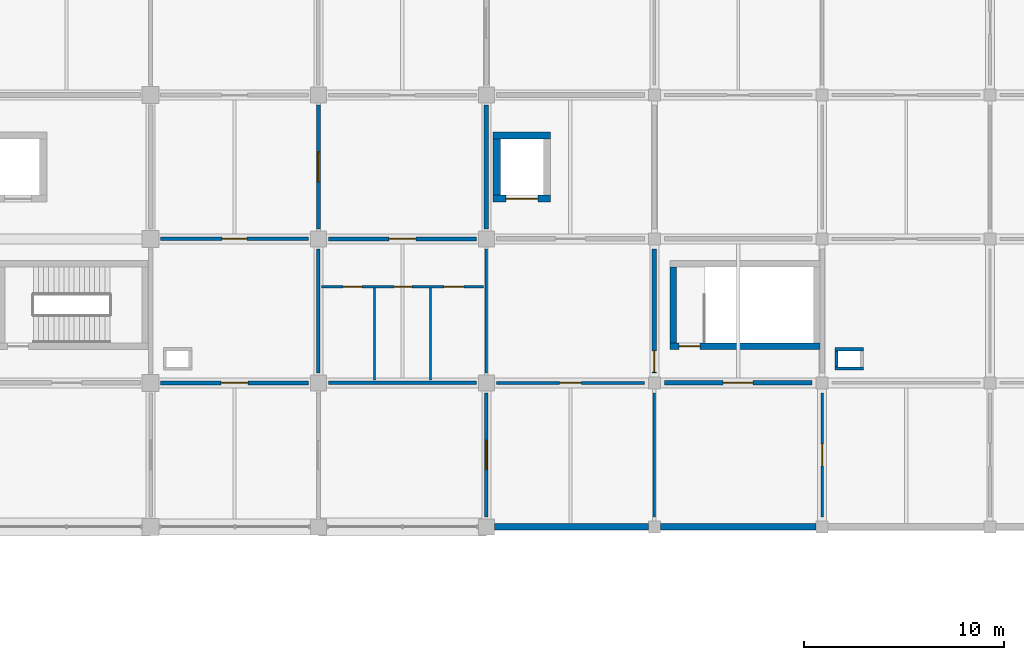
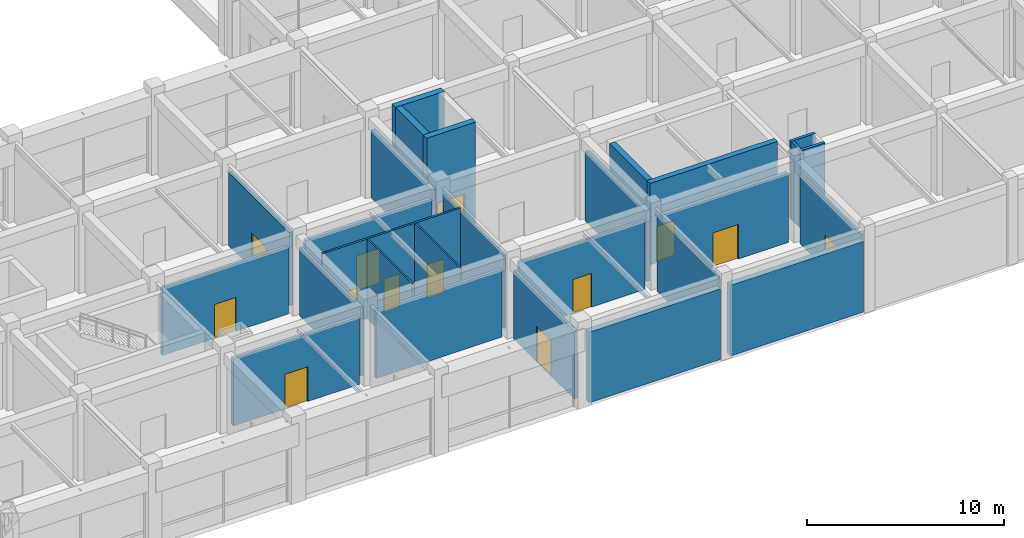
# One storey, part 28 of 38: 27 walls, 14 doors, 14 openings.
"""IFC4 building model written with IfcOpenShell, lengths in metres."""

from ifc_helpers import new_model, si_unit, derived_unit, direction, frame, frame_2d, origin, place, context, subcontext, project, spatial, rectangle, extrude, material, layer, layer_set, type_object, element, fill, save


model = new_model("IFC4")

# Units and contexts
model_context = context("Model", 3, precision=1e-05, world=origin(), true_north=direction((0.0, 1.0)))
body_context = subcontext(model_context, "Body", "Model", "MODEL_VIEW")
ifc_project = project(units=[si_unit("LENGTHUNIT", "METRE"), si_unit("AREAUNIT", "SQUARE_METRE"), si_unit("VOLUMEUNIT", "CUBIC_METRE"), si_unit("PLANEANGLEUNIT", "RADIAN"), si_unit("MASSUNIT", "GRAM", prefix="KILO"), derived_unit("THERMALTRANSMITTANCEUNIT", [(si_unit("MASSUNIT", "GRAM", prefix="KILO"), 1), (si_unit("TIMEUNIT", "SECOND"), -3), (si_unit("THERMODYNAMICTEMPERATUREUNIT", "KELVIN"), -1)])], contexts=[model_context])

# Site, building, storey
site_placement = place(None, origin())
site = spatial("IfcSite", under=ifc_project, at=site_placement, CompositionType="ELEMENT")
building_placement = place(site_placement, origin())
building = spatial("IfcBuilding", under=site, at=building_placement, Name="Veldstrom Oceanarium and Marine Research Institute", CompositionType="ELEMENT")
storey_placement = place(building_placement, frame((0.0, 0.0, 16.800048828125)))
storey = spatial("IfcBuildingStorey", under=building, at=storey_placement, Name="L03", CompositionType="ELEMENT", Elevation=16.800048828125)

# Walls
ifc_material_1 = material(Name="Masonry Cavity Wall", Category="masonry")
ifc_layer_1 = layer(ifc_material_1, 0.340087890625)
ifc_layer_set_1 = layer_set([ifc_layer_1], Name="ARC-WAL-EW4")
wall_type_1 = type_object("IfcWallType", Name="ARC-WAL-EW4", PredefinedType="SOLIDWALL", material=ifc_layer_set_1)
wall_1_placement = place(storey_placement, frame((118.0, 43.199951171875, 0.0), z_axis=(0.0, 0.0, 1.0), x_axis=(1.0, 0.0, 0.0)))
element("IfcWall", 1, at=wall_1_placement, inside=storey, type_object=wall_type_1, Name="Exterior Facade Wall EW4 L03-160", PredefinedType="SOLIDWALL", context=body_context, shape_type="SweptSolid", body=[
    extrude(rectangle(XDim=7.699951171875, YDim=0.340087890625, at=frame_2d((3.85009765625, 0.0))), origin(), (0.0, 0.0, 1.0), 4.39501953125),
])
wall_2_placement = place(storey_placement, frame((126.300048828125, 43.199951171875, 0.0), z_axis=(0.0, 0.0, 1.0), x_axis=(1.0, 0.0, 0.0)))
element("IfcWall", 2, at=wall_2_placement, inside=storey, type_object=wall_type_1, Name="Exterior Facade Wall EW4 L03-162", PredefinedType="SOLIDWALL", context=body_context, shape_type="SweptSolid", body=[
    extrude(rectangle(XDim=7.800048828125, YDim=0.340087890625, at=frame_2d((3.89990234375, 0.0))), origin(), (0.0, 0.0, 1.0), 4.39501953125),
])
ifc_material_2 = material(Name="Masonry Fire Compartment Wall", Category="masonry")
ifc_layer_2 = layer(ifc_material_2, 0.22998046875)
ifc_layer_set_2 = layer_set([ifc_layer_2], Name="ARC-WAL-PT1")
wall_type_2 = type_object("IfcWallType", Name="ARC-WAL-PT1", PredefinedType="PARTITIONING", material=ifc_layer_set_2)
wall_3_placement = place(storey_placement, frame((117.60009765625, 58.10009765625, 0.0), z_axis=(0.0, 0.0, 1.0), x_axis=(0.0, 1.0, 0.0)))
element("IfcWall", 3, at=wall_3_placement, inside=storey, type_object=wall_type_2, Name="Interior Partition PT1 L03-1363", PredefinedType="PARTITIONING", context=body_context, shape_type="SweptSolid", body=[
    extrude(rectangle(XDim=6.199951171875, YDim=0.22998046875, at=frame_2d((3.10009765625, 0.0))), origin(), (0.0, 0.0, 1.0), 4.244873046875),
])

# Wall, opening, door
wall_4_placement = place(storey_placement, frame((126.0, 50.89990234375, 0.0), z_axis=(0.0, 0.0, 1.0), x_axis=(0.0, 1.0, 0.0)))
wall_4 = element("IfcWall", 4, at=wall_4_placement, inside=storey, type_object=wall_type_2, Name="Interior Partition PT1 L03-1368", PredefinedType="PARTITIONING", context=body_context, shape_type="SweptSolid", body=[
    extrude(rectangle(XDim=6.2001953125, YDim=0.22998046875, at=frame_2d((3.10009765625, 0.0))), origin(), (0.0, 0.0, 1.0), 4.344970703125),
])
opening_1_placement = place(wall_4_placement, frame((0.050048828125, 0.0, 0.0)))
opening_1 = element("IfcOpeningElement", 5, at=opening_1_placement, cuts=wall_4, Name="Opening D-L03-807", PredefinedType="OPENING", context=body_context, shape_type="SweptSolid", body=[
    extrude(rectangle(XDim=1.050048828125, YDim=2.14990234375, at=frame_2d((0.52490234375, 1.074951171875))), frame((0.0, 0.125, 0.0), z_axis=(0.0, -1.0, 0.0), x_axis=(1.0, 0.0, 0.0)), (0.0, 0.0, 1.0), 0.25),
])
ifc_material_3 = material(Name="Painted Steel Fire Door", Category="steel")
door_type_1 = type_object("IfcDoorType", Name="ARC-DOR-SD1", OperationType="SINGLE_SWING_LEFT", PredefinedType="DOOR", material=ifc_material_3)
door_1_placement = place(opening_1_placement, origin())
door_1 = element("IfcDoor", 6, at=door_1_placement, inside=storey, type_object=door_type_1, Name="Interior Door D-L03-807", OperationType="SINGLE_SWING_LEFT", OverallHeight=2.14990234375, OverallWidth=1.050048828125, PredefinedType="DOOR", context=body_context, shape_type="SweptSolid", body=[
    extrude(rectangle(XDim=1.050048828125, YDim=2.14990234375, at=frame_2d((0.52490234375, 1.074951171875))), frame((0.0, 0.02490234375, 0.0), z_axis=(0.0, -1.0, 0.0), x_axis=(1.0, 0.0, 0.0)), (0.0, 0.0, 1.0), 0.050048828125),
])
fill(opening_1, door_1)

wall_5_placement = place(storey_placement, frame((126.5, 50.39990234375, 0.0), z_axis=(0.0, 0.0, 1.0), x_axis=(1.0, 0.0, 0.0)))
wall_5 = element("IfcWall", 7, at=wall_5_placement, inside=storey, type_object=wall_type_2, Name="Interior Partition PT1 L03-1376", PredefinedType="PARTITIONING", context=body_context, shape_type="SweptSolid", body=[
    extrude(rectangle(XDim=7.39990234375, YDim=0.22998046875, at=frame_2d((3.699951171875, 0.0))), origin(), (0.0, 0.0, 1.0), 4.294921875),
])
opening_2_placement = place(wall_5_placement, frame((2.949951171875, 0.0, 0.0)))
opening_2 = element("IfcOpeningElement", 8, at=opening_2_placement, cuts=wall_5, Name="Opening D-L03-811", PredefinedType="OPENING", context=body_context, shape_type="SweptSolid", body=[
    extrude(rectangle(XDim=1.5, YDim=2.14990234375, at=frame_2d((0.75, 1.074951171875))), frame((0.0, 0.125, 0.0), z_axis=(0.0, -1.0, 0.0), x_axis=(1.0, 0.0, 0.0)), (0.0, 0.0, 1.0), 0.25),
])
ifc_material_4 = material(Name="Painted Steel Lobby Fire Door", Category="steel")
door_type_2 = type_object("IfcDoorType", Name="ARC-DOR-SD2", OperationType="DOUBLE_DOOR_SINGLE_SWING", PredefinedType="DOOR", material=ifc_material_4)
door_2_placement = place(opening_2_placement, frame((1.5, 0.0, 0.0), z_axis=(0.0, 0.0, 1.0), x_axis=(-1.0, 0.0, 0.0)))
door_2 = element("IfcDoor", 9, at=door_2_placement, inside=storey, type_object=door_type_2, Name="Interior Door D-L03-811", OperationType="DOUBLE_DOOR_SINGLE_SWING", OverallHeight=2.14990234375, OverallWidth=1.5, PredefinedType="DOOR", context=body_context, shape_type="SweptSolid", body=[
    extrude(rectangle(XDim=1.5, YDim=2.14990234375, at=frame_2d((0.75, 1.074951171875))), frame((0.0, 0.02490234375, 0.0), z_axis=(0.0, -1.0, 0.0), x_axis=(1.0, 0.0, 0.0)), (0.0, 0.0, 1.0), 0.050048828125),
])
fill(opening_2, door_2)

ifc_material_5 = material(Name="Masonry Acoustic Lab Partition", Category="masonry")
ifc_layer_3 = layer(ifc_material_5, 0.205078125)
ifc_layer_set_3 = layer_set([ifc_layer_3], Name="ARC-WAL-PT2")
wall_type_3 = type_object("IfcWallType", Name="ARC-WAL-PT2", PredefinedType="PARTITIONING", material=ifc_layer_set_3)
wall_6_placement = place(storey_placement, frame((101.300048828125, 50.39990234375, 0.0), z_axis=(0.0, 0.0, 1.0), x_axis=(1.0, 0.0, 0.0)))
wall_6 = element("IfcWall", 10, at=wall_6_placement, inside=storey, type_object=wall_type_3, Name="Interior Partition PT2 L03-1353", PredefinedType="PARTITIONING", context=body_context, shape_type="SweptSolid", body=[
    extrude(rectangle(XDim=7.39990234375, YDim=0.205078125, at=frame_2d((3.699951171875, 0.0))), origin(), (0.0, 0.0, 1.0), 4.195068359375),
])
opening_3_placement = place(wall_6_placement, frame((3.02490234375, 0.0, 0.0)))
opening_3 = element("IfcOpeningElement", 11, at=opening_3_placement, cuts=wall_6, Name="Opening D-L03-798", PredefinedType="OPENING", context=body_context, shape_type="SweptSolid", body=[
    extrude(rectangle(XDim=1.35009765625, YDim=2.14990234375, at=frame_2d((0.675048828125, 1.074951171875))), frame((0.0, 0.112548828125, 0.0), z_axis=(0.0, -1.0, 0.0), x_axis=(1.0, 0.0, 0.0)), (0.0, 0.0, 1.0), 0.22509765625),
])
ifc_material_6 = material(Name="Cleanroom Airlock Door", Category="steel")
door_type_3 = type_object("IfcDoorType", Name="ARC-DOR-ID15", OperationType="SINGLE_SWING_LEFT", PredefinedType="DOOR", material=ifc_material_6)
door_3_placement = place(opening_3_placement, frame((1.35009765625, 0.0, 0.0), z_axis=(0.0, 0.0, 1.0), x_axis=(-1.0, 0.0, 0.0)))
door_3 = element("IfcDoor", 12, at=door_3_placement, inside=storey, type_object=door_type_3, Name="Interior Door D-L03-798", OperationType="SINGLE_SWING_LEFT", OverallHeight=2.14990234375, OverallWidth=1.35009765625, PredefinedType="DOOR", context=body_context, shape_type="SweptSolid", body=[
    extrude(rectangle(XDim=1.35009765625, YDim=2.14990234375, at=frame_2d((0.675048828125, 1.074951171875))), frame((0.0, 0.02490234375, 0.0), z_axis=(0.0, -1.0, 0.0), x_axis=(1.0, 0.0, 0.0)), (0.0, 0.0, 1.0), 0.050048828125),
])
fill(opening_3, door_3)

wall_7_placement = place(storey_placement, frame((109.199951171875, 58.10009765625, 0.0), z_axis=(0.0, 0.0, 1.0), x_axis=(0.0, 1.0, 0.0)))
wall_7 = element("IfcWall", 13, at=wall_7_placement, inside=storey, type_object=wall_type_3, Name="Interior Partition PT2 L03-1356", PredefinedType="PARTITIONING", context=body_context, shape_type="SweptSolid", body=[
    extrude(rectangle(XDim=6.199951171875, YDim=0.205078125, at=frame_2d((3.10009765625, 0.0))), origin(), (0.0, 0.0, 1.0), 4.544921875),
])
opening_4_placement = place(wall_7_placement, frame((2.35009765625, 0.0, 0.0)))
opening_4 = element("IfcOpeningElement", 14, at=opening_4_placement, cuts=wall_7, Name="Opening D-L03-800", PredefinedType="OPENING", context=body_context, shape_type="SweptSolid", body=[
    extrude(rectangle(XDim=1.5, YDim=2.199951171875, at=frame_2d((0.75, 1.10009765625))), frame((0.0, 0.112548828125, 0.0), z_axis=(0.0, -1.0, 0.0), x_axis=(1.0, 0.0, 0.0)), (0.0, 0.0, 1.0), 0.22509765625),
])
ifc_material_7 = material(Name="Laboratory Double Leaf Door", Category="timber")
door_type_4 = type_object("IfcDoorType", Name="ARC-DOR-ID03", OperationType="DOUBLE_DOOR_SINGLE_SWING", PredefinedType="DOOR", material=ifc_material_7)
door_4_placement = place(opening_4_placement, origin())
door_4 = element("IfcDoor", 15, at=door_4_placement, inside=storey, type_object=door_type_4, Name="Interior Door D-L03-800", OperationType="DOUBLE_DOOR_SINGLE_SWING", OverallHeight=2.199951171875, OverallWidth=1.5, PredefinedType="DOOR", context=body_context, shape_type="SweptSolid", body=[
    extrude(rectangle(XDim=1.5, YDim=2.199951171875, at=frame_2d((0.75, 1.10009765625))), frame((0.0, 0.02490234375, 0.0), z_axis=(0.0, -1.0, 0.0), x_axis=(1.0, 0.0, 0.0)), (0.0, 0.0, 1.0), 0.050048828125),
])
fill(opening_4, door_4)

wall_8_placement = place(storey_placement, frame((109.699951171875, 57.60009765625, 0.0), z_axis=(0.0, 0.0, 1.0), x_axis=(1.0, 0.0, 0.0)))
wall_8 = element("IfcWall", 16, at=wall_8_placement, inside=storey, type_object=wall_type_3, Name="Interior Partition PT2 L03-1362", PredefinedType="PARTITIONING", context=body_context, shape_type="SweptSolid", body=[
    extrude(rectangle(XDim=7.400146484375, YDim=0.205078125, at=frame_2d((3.7001953125, 0.0))), origin(), (0.0, 0.0, 1.0), 4.195068359375),
])
opening_5_placement = place(wall_8_placement, frame((3.02490234375, 0.0, 0.0)))
opening_5 = element("IfcOpeningElement", 17, at=opening_5_placement, cuts=wall_8, Name="Opening D-L03-803", PredefinedType="OPENING", context=body_context, shape_type="SweptSolid", body=[
    extrude(rectangle(XDim=1.35009765625, YDim=2.14990234375, at=frame_2d((0.675048828125, 1.074951171875))), frame((0.0, 0.112548828125, 0.0), z_axis=(0.0, -1.0, 0.0), x_axis=(1.0, 0.0, 0.0)), (0.0, 0.0, 1.0), 0.22509765625),
])
door_5_placement = place(opening_5_placement, frame((1.35009765625, 0.0, 0.0), z_axis=(0.0, 0.0, 1.0), x_axis=(-1.0, 0.0, 0.0)))
door_5 = element("IfcDoor", 18, at=door_5_placement, inside=storey, type_object=door_type_3, Name="Interior Door D-L03-803", OperationType="SINGLE_SWING_LEFT", OverallHeight=2.14990234375, OverallWidth=1.35009765625, PredefinedType="DOOR", context=body_context, shape_type="SweptSolid", body=[
    extrude(rectangle(XDim=1.35009765625, YDim=2.14990234375, at=frame_2d((0.675048828125, 1.074951171875))), frame((0.0, 0.02490234375, 0.0), z_axis=(0.0, -1.0, 0.0), x_axis=(1.0, 0.0, 0.0)), (0.0, 0.0, 1.0), 0.050048828125),
])
fill(opening_5, door_5)

# Wall
ifc_material_8 = material(Name="Drywall Acoustic Partition", Category="gypsum")
ifc_layer_4 = layer(ifc_material_8, 0.175048828125)
ifc_layer_set_4 = layer_set([ifc_layer_4], Name="ARC-WAL-PT3")
wall_type_4 = type_object("IfcWallType", Name="ARC-WAL-PT3", PredefinedType="PARTITIONING", material=ifc_layer_set_4)
wall_9_placement = place(storey_placement, frame((109.199951171875, 50.89990234375, 0.0), z_axis=(0.0, 0.0, 1.0), x_axis=(0.0, 1.0, 0.0)))
element("IfcWall", 19, at=wall_9_placement, inside=storey, type_object=wall_type_4, Name="Interior Partition PT3 L03-1354", PredefinedType="PARTITIONING", context=body_context, shape_type="SweptSolid", body=[
    extrude(rectangle(XDim=6.2001953125, YDim=0.175048828125, at=frame_2d((3.10009765625, 0.0))), origin(), (0.0, 0.0, 1.0), 4.244873046875),
])

# Wall, opening, door
wall_10_placement = place(storey_placement, frame((101.300048828125, 57.60009765625, 0.0), z_axis=(0.0, 0.0, 1.0), x_axis=(1.0, 0.0, 0.0)))
wall_10 = element("IfcWall", 20, at=wall_10_placement, inside=storey, type_object=wall_type_4, Name="Interior Partition PT3 L03-1355", PredefinedType="PARTITIONING", context=body_context, shape_type="SweptSolid", body=[
    extrude(rectangle(XDim=7.39990234375, YDim=0.175048828125, at=frame_2d((3.699951171875, 0.0))), origin(), (0.0, 0.0, 1.0), 4.195068359375),
])
opening_6_placement = place(wall_10_placement, frame((3.074951171875, 0.0, 0.0)))
opening_6 = element("IfcOpeningElement", 21, at=opening_6_placement, cuts=wall_10, Name="Opening D-L03-799", PredefinedType="OPENING", context=body_context, shape_type="SweptSolid", body=[
    extrude(rectangle(XDim=1.25, YDim=2.10009765625, at=frame_2d((0.625, 1.050048828125))), frame((0.0, 0.097412109375, 0.0), z_axis=(0.0, -1.0, 0.0), x_axis=(1.0, 0.0, 0.0)), (0.0, 0.0, 1.0), 0.195068359375),
])
ifc_material_9 = material(Name="Specimen Prep Door", Category="timber")
door_type_5 = type_object("IfcDoorType", Name="ARC-DOR-ID16", OperationType="SINGLE_SWING_RIGHT", PredefinedType="DOOR", material=ifc_material_9)
door_6_placement = place(opening_6_placement, origin())
door_6 = element("IfcDoor", 22, at=door_6_placement, inside=storey, type_object=door_type_5, Name="Interior Door D-L03-799", OperationType="SINGLE_SWING_LEFT", OverallHeight=2.10009765625, OverallWidth=1.25, PredefinedType="DOOR", context=body_context, shape_type="SweptSolid", body=[
    extrude(rectangle(XDim=1.25, YDim=2.10009765625, at=frame_2d((0.625, 1.050048828125))), frame((0.0, 0.02490234375, 0.0), z_axis=(0.0, -1.0, 0.0), x_axis=(1.0, 0.0, 0.0)), (0.0, 0.0, 1.0), 0.050048828125),
])
fill(opening_6, door_6)

wall_11_placement = place(storey_placement, frame((117.60009765625, 43.699951171875, 0.0), z_axis=(0.0, 0.0, 1.0), x_axis=(0.0, 1.0, 0.0)))
wall_11 = element("IfcWall", 23, at=wall_11_placement, inside=storey, type_object=wall_type_4, Name="Interior Partition PT3 L03-1359", PredefinedType="PARTITIONING", context=body_context, shape_type="SweptSolid", body=[
    extrude(rectangle(XDim=6.199951171875, YDim=0.175048828125, at=frame_2d((3.10009765625, 0.0))), origin(), (0.0, 0.0, 1.0), 4.244873046875),
])
opening_7_placement = place(wall_11_placement, frame((2.375, 0.0, 0.0)))
opening_7 = element("IfcOpeningElement", 24, at=opening_7_placement, cuts=wall_11, Name="Opening D-L03-802", PredefinedType="OPENING", context=body_context, shape_type="SweptSolid", body=[
    extrude(rectangle(XDim=1.449951171875, YDim=2.199951171875, at=frame_2d((0.72509765625, 1.10009765625))), frame((0.0, 0.097412109375, 0.0), z_axis=(0.0, -1.0, 0.0), x_axis=(1.0, 0.0, 0.0)), (0.0, 0.0, 1.0), 0.195068359375),
])
ifc_material_10 = material(Name="Curatorial Archive Door", Category="timber")
door_type_6 = type_object("IfcDoorType", Name="ARC-DOR-ID14", OperationType="DOUBLE_DOOR_SINGLE_SWING", PredefinedType="DOOR", material=ifc_material_10)
door_7_placement = place(opening_7_placement, frame((1.449951171875, 0.0, 0.0), z_axis=(0.0, 0.0, 1.0), x_axis=(-1.0, 0.0, 0.0)))
door_7 = element("IfcDoor", 25, at=door_7_placement, inside=storey, type_object=door_type_6, Name="Interior Door D-L03-802", OperationType="DOUBLE_DOOR_SINGLE_SWING", OverallHeight=2.199951171875, OverallWidth=1.449951171875, PredefinedType="DOOR", context=body_context, shape_type="SweptSolid", body=[
    extrude(rectangle(XDim=1.449951171875, YDim=2.199951171875, at=frame_2d((0.72509765625, 1.10009765625))), frame((0.0, 0.02490234375, 0.0), z_axis=(0.0, -1.0, 0.0), x_axis=(1.0, 0.0, 0.0)), (0.0, 0.0, 1.0), 0.050048828125),
])
fill(opening_7, door_7)

# Wall
wall_12_placement = place(storey_placement, frame((109.699951171875, 50.39990234375, 0.0), z_axis=(0.0, 0.0, 1.0), x_axis=(1.0, 0.0, 0.0)))
element("IfcWall", 26, at=wall_12_placement, inside=storey, type_object=wall_type_4, Name="Interior Partition PT3 L03-1360", PredefinedType="PARTITIONING", context=body_context, shape_type="SweptSolid", body=[
    extrude(rectangle(XDim=7.400146484375, YDim=0.175048828125, at=frame_2d((3.7001953125, 0.0))), origin(), (0.0, 0.0, 1.0), 4.195068359375),
])

# Wall, opening, door
ifc_material_11 = material(Name="Drywall Corridor Partition", Category="gypsum")
ifc_layer_5 = layer(ifc_material_11, 0.155029296875)
ifc_layer_set_5 = layer_set([ifc_layer_5], Name="ARC-WAL-PT4")
wall_type_5 = type_object("IfcWallType", Name="ARC-WAL-PT4", PredefinedType="PARTITIONING", material=ifc_layer_set_5)
wall_13_placement = place(storey_placement, frame((118.10009765625, 50.39990234375, 0.0), z_axis=(0.0, 0.0, 1.0), x_axis=(1.0, 0.0, 0.0)))
wall_13 = element("IfcWall", 27, at=wall_13_placement, inside=storey, type_object=wall_type_5, Name="Interior Partition PT4 L03-1367", PredefinedType="PARTITIONING", context=body_context, shape_type="SweptSolid", body=[
    extrude(rectangle(XDim=7.39990234375, YDim=0.155029296875, at=frame_2d((3.699951171875, 0.0))), origin(), (0.0, 0.0, 1.0), 4.294921875),
])
opening_8_placement = place(wall_13_placement, frame((3.14990234375, 0.0, 0.0)))
opening_8 = element("IfcOpeningElement", 28, at=opening_8_placement, cuts=wall_13, Name="Opening D-L03-806", PredefinedType="OPENING", context=body_context, shape_type="SweptSolid", body=[
    extrude(rectangle(XDim=1.10009765625, YDim=2.10009765625, at=frame_2d((0.550048828125, 1.050048828125))), frame((0.0, 0.08740234375, 0.0), z_axis=(0.0, -1.0, 0.0), x_axis=(1.0, 0.0, 0.0)), (0.0, 0.0, 1.0), 0.175048828125),
])
ifc_material_12 = material(Name="Research Office Door", Category="timber")
door_type_7 = type_object("IfcDoorType", Name="ARC-DOR-ID07", OperationType="SINGLE_SWING_LEFT", PredefinedType="DOOR", material=ifc_material_12)
door_8_placement = place(opening_8_placement, frame((1.10009765625, 0.0, 0.0), z_axis=(0.0, 0.0, 1.0), x_axis=(-1.0, 0.0, 0.0)))
door_8 = element("IfcDoor", 29, at=door_8_placement, inside=storey, type_object=door_type_7, Name="Interior Door D-L03-806", OperationType="SINGLE_SWING_LEFT", OverallHeight=2.10009765625, OverallWidth=1.10009765625, PredefinedType="DOOR", context=body_context, shape_type="SweptSolid", body=[
    extrude(rectangle(XDim=1.10009765625, YDim=2.10009765625, at=frame_2d((0.550048828125, 1.050048828125))), frame((0.0, 0.02490234375, 0.0), z_axis=(0.0, -1.0, 0.0), x_axis=(1.0, 0.0, 0.0)), (0.0, 0.0, 1.0), 0.050048828125),
])
fill(opening_8, door_8)

ifc_material_13 = material(Name="Moisture-Resistant Wet-Area Partition", Category="masonry")
ifc_layer_6 = layer(ifc_material_13, 0.139892578125)
ifc_layer_set_6 = layer_set([ifc_layer_6], Name="ARC-WAL-PT5")
wall_type_6 = type_object("IfcWallType", Name="ARC-WAL-PT5", PredefinedType="PARTITIONING", material=ifc_layer_set_6)
wall_14_placement = place(storey_placement, frame((134.39990234375, 43.699951171875, 0.0), z_axis=(0.0, 0.0, 1.0), x_axis=(0.0, 1.0, 0.0)))
wall_14 = element("IfcWall", 30, at=wall_14_placement, inside=storey, type_object=wall_type_6, Name="Interior Partition PT5 L03-1375", PredefinedType="PARTITIONING", context=body_context, shape_type="SweptSolid", body=[
    extrude(rectangle(XDim=6.199951171875, YDim=0.139892578125, at=frame_2d((3.10009765625, 0.0))), origin(), (0.0, 0.0, 1.0), 4.344970703125),
])
opening_9_placement = place(wall_14_placement, frame((2.550048828125, 0.0, 0.0)))
opening_9 = element("IfcOpeningElement", 31, at=opening_9_placement, cuts=wall_14, Name="Opening D-L03-810", PredefinedType="OPENING", context=body_context, shape_type="SweptSolid", body=[
    extrude(rectangle(XDim=1.10009765625, YDim=2.10009765625, at=frame_2d((0.550048828125, 1.050048828125))), frame((0.0, 0.079833984375, 0.0), z_axis=(0.0, -1.0, 0.0), x_axis=(1.0, 0.0, 0.0)), (0.0, 0.0, 1.0), 0.159912109375),
])
door_9_placement = place(opening_9_placement, frame((1.10009765625, 0.0, 0.0), z_axis=(0.0, 0.0, 1.0), x_axis=(-1.0, 0.0, 0.0)))
door_9 = element("IfcDoor", 32, at=door_9_placement, inside=storey, type_object=door_type_7, Name="Interior Door D-L03-810", OperationType="SINGLE_SWING_RIGHT", OverallHeight=2.10009765625, OverallWidth=1.10009765625, PredefinedType="DOOR", context=body_context, shape_type="SweptSolid", body=[
    extrude(rectangle(XDim=1.10009765625, YDim=2.10009765625, at=frame_2d((0.550048828125, 1.050048828125))), frame((0.0, 0.02490234375, 0.0), z_axis=(0.0, -1.0, 0.0), x_axis=(1.0, 0.0, 0.0)), (0.0, 0.0, 1.0), 0.050048828125),
])
fill(opening_9, door_9)

# Wall, openings, doors
ifc_material_14 = material(Name="Lightweight Studio Partition", Category="gypsum")
ifc_layer_7 = layer(ifc_material_14, 0.1201171875)
ifc_layer_set_7 = layer_set([ifc_layer_7], Name="ARC-WAL-PT6")
wall_type_7 = type_object("IfcWallType", Name="ARC-WAL-PT6", PredefinedType="PARTITIONING", material=ifc_layer_set_7)
wall_15_placement = place(storey_placement, frame((109.35009765625, 55.199951171875, 0.0), z_axis=(0.0, 0.0, 1.0), x_axis=(1.0, 0.0, 0.0)))
wall_15 = element("IfcWall", 33, at=wall_15_placement, inside=storey, type_object=wall_type_7, Name="Sanitary Vestibule Partition L03-13", PredefinedType="PARTITIONING", context=body_context, shape_type="SweptSolid", body=[
    extrude(rectangle(XDim=8.099853515625, YDim=0.1201171875, at=frame_2d((4.0498046875, 0.0))), origin(), (0.0, 0.0, 1.0), 4.949951171875),
])
opening_10_placement = place(wall_15_placement, frame((1.080078125, 0.0, 0.0)))
opening_10 = element("IfcOpeningElement", 34, at=opening_10_placement, cuts=wall_15, Name="Opening D-L03-WC729", PredefinedType="OPENING", context=body_context, shape_type="SweptSolid", body=[
    extrude(rectangle(XDim=0.949951171875, YDim=2.10009765625, at=frame_2d((0.47509765625, 1.050048828125))), frame((0.0, 0.070068359375, 0.0), z_axis=(0.0, -1.0, 0.0), x_axis=(1.0, 0.0, 0.0)), (0.0, 0.0, 1.0), 0.14013671875),
])
opening_11_placement = place(wall_15_placement, frame((3.6298828125, 0.0, 0.0)))
opening_11 = element("IfcOpeningElement", 35, at=opening_11_placement, cuts=wall_15, Name="Opening D-L03-WC730", PredefinedType="OPENING", context=body_context, shape_type="SweptSolid", body=[
    extrude(rectangle(XDim=0.89990234375, YDim=2.10009765625, at=frame_2d((0.449951171875, 1.050048828125))), frame((0.0, 0.070068359375, 0.0), z_axis=(0.0, -1.0, 0.0), x_axis=(1.0, 0.0, 0.0)), (0.0, 0.0, 1.0), 0.14013671875),
])
opening_12_placement = place(wall_15_placement, frame((6.1298828125, 0.0, 0.0)))
opening_12 = element("IfcOpeningElement", 36, at=opening_12_placement, cuts=wall_15, Name="Opening D-L03-WC731", PredefinedType="OPENING", context=body_context, shape_type="SweptSolid", body=[
    extrude(rectangle(XDim=1.0, YDim=2.10009765625, at=frame_2d((0.5, 1.050048828125))), frame((0.0, 0.070068359375, 0.0), z_axis=(0.0, -1.0, 0.0), x_axis=(1.0, 0.0, 0.0)), (0.0, 0.0, 1.0), 0.14013671875),
])
ifc_material_15 = material(Name="Accessible Sanitary Door", Category="timber")
door_type_8 = type_object("IfcDoorType", Name="ARC-DOR-ID08", OperationType="SINGLE_SWING_RIGHT", PredefinedType="DOOR", material=ifc_material_15)
door_10_placement = place(opening_12_placement, frame((1.0, 0.0, 0.0), z_axis=(0.0, 0.0, 1.0), x_axis=(-1.0, 0.0, 0.0)))
door_10 = element("IfcDoor", 37, at=door_10_placement, inside=storey, type_object=door_type_8, Name="Accessible WC Door D-L03-WC731", OperationType="SINGLE_SWING_RIGHT", OverallHeight=2.10009765625, OverallWidth=1.0, PredefinedType="DOOR", context=body_context, shape_type="SweptSolid", body=[
    extrude(rectangle(XDim=1.0, YDim=2.10009765625, at=frame_2d((0.5, 1.050048828125))), frame((0.0, 0.02490234375, 0.0), z_axis=(0.0, -1.0, 0.0), x_axis=(1.0, 0.0, 0.0)), (0.0, 0.0, 1.0), 0.050048828125),
])
fill(opening_12, door_10)
ifc_material_16 = material(Name="Staff Sanitary Door", Category="timber")
door_type_9 = type_object("IfcDoorType", Name="ARC-DOR-ID09", OperationType="SINGLE_SWING_LEFT", PredefinedType="DOOR", material=ifc_material_16)
door_11_placement = place(opening_10_placement, frame((0.949951171875, 0.0, 0.0), z_axis=(0.0, 0.0, 1.0), x_axis=(-1.0, 0.0, 0.0)))
door_11 = element("IfcDoor", 38, at=door_11_placement, inside=storey, type_object=door_type_9, Name="Male WC Door D-L03-WC729", OperationType="SINGLE_SWING_RIGHT", OverallHeight=2.10009765625, OverallWidth=0.949951171875, PredefinedType="DOOR", context=body_context, shape_type="SweptSolid", body=[
    extrude(rectangle(XDim=0.949951171875, YDim=2.10009765625, at=frame_2d((0.47509765625, 1.050048828125))), frame((0.0, 0.02490234375, 0.0), z_axis=(0.0, -1.0, 0.0), x_axis=(1.0, 0.0, 0.0)), (0.0, 0.0, 1.0), 0.050048828125),
])
fill(opening_10, door_11)
ifc_material_17 = material(Name="Internal Sanitary Door", Category="timber")
door_type_10 = type_object("IfcDoorType", Name="ARC-DOR-ID10", OperationType="SINGLE_SWING_RIGHT", PredefinedType="DOOR", material=ifc_material_17)
door_12_placement = place(opening_11_placement, frame((0.89990234375, 0.0, 0.0), z_axis=(0.0, 0.0, 1.0), x_axis=(-1.0, 0.0, 0.0)))
door_12 = element("IfcDoor", 39, at=door_12_placement, inside=storey, type_object=door_type_10, Name="Female WC Door D-L03-WC730", OperationType="SINGLE_SWING_LEFT", OverallHeight=2.10009765625, OverallWidth=0.89990234375, PredefinedType="DOOR", context=body_context, shape_type="SweptSolid", body=[
    extrude(rectangle(XDim=0.89990234375, YDim=2.10009765625, at=frame_2d((0.449951171875, 1.050048828125))), frame((0.0, 0.02490234375, 0.0), z_axis=(0.0, -1.0, 0.0), x_axis=(1.0, 0.0, 0.0)), (0.0, 0.0, 1.0), 0.050048828125),
])
fill(opening_11, door_12)

# Walls
wall_16_placement = place(storey_placement, frame((117.60009765625, 50.89990234375, 0.0), z_axis=(0.0, 0.0, 1.0), x_axis=(0.0, 1.0, 0.0)))
element("IfcWall", 40, at=wall_16_placement, inside=storey, type_object=wall_type_7, Name="Interior Partition PT6 L03-1361", PredefinedType="PARTITIONING", context=body_context, shape_type="SweptSolid", body=[
    extrude(rectangle(XDim=6.2001953125, YDim=0.1201171875, at=frame_2d((3.10009765625, 0.0))), origin(), (0.0, 0.0, 1.0), 4.544921875),
])
wall_17_placement = place(storey_placement, frame((126.0, 43.699951171875, 0.0), z_axis=(0.0, 0.0, 1.0), x_axis=(0.0, 1.0, 0.0)))
element("IfcWall", 41, at=wall_17_placement, inside=storey, type_object=wall_type_7, Name="Interior Partition PT6 L03-1366", PredefinedType="PARTITIONING", context=body_context, shape_type="SweptSolid", body=[
    extrude(rectangle(XDim=6.199951171875, YDim=0.1201171875, at=frame_2d((3.10009765625, 0.0))), origin(), (0.0, 0.0, 1.0), 4.64501953125),
])
ifc_material_18 = material(Name="Sanitary Cubicle Partition", Category="gypsum")
ifc_layer_8 = layer(ifc_material_18, 0.10009765625)
ifc_layer_set_8 = layer_set([ifc_layer_8], Name="ARC-WAL-PT7")
wall_type_8 = type_object("IfcWallType", Name="ARC-WAL-PT7", PredefinedType="PARTITIONING", material=ifc_layer_set_8)
for number, where, z_axis, x_axis, name in (
    (42, (112.0, 50.550048828125, 0.0), (0.0, 0.0, 1.0), (0.0, 1.0, 0.0), "Sanitary Stall Divider Wall L03-1250"),
    (43, (114.800048828125, 50.550048828125, 0.0), (0.0, 0.0, 1.0), (0.0, 1.0, 0.0), "Sanitary Stall Divider Wall L03-1251"),
):
    element("IfcWall", number, at=place(storey_placement, frame(where, z_axis=z_axis, x_axis=x_axis)), inside=storey, type_object=wall_type_8, Name=name, PredefinedType="PARTITIONING", context=body_context, shape_type="SweptSolid", body=[
        extrude(rectangle(XDim=4.58984375, YDim=0.10009765625, at=frame_2d((2.294921875, 0.0))), origin(), (0.0, 0.0, 1.0), 4.949951171875),
    ])
ifc_material_19 = material(Name="Service Riser Fire Shaft Wall", Category="masonry")
ifc_layer_9 = layer(ifc_material_19, 0.1650390625)
ifc_layer_set_9 = layer_set([ifc_layer_9], Name="ARC-WAL-PT9")
wall_type_9 = type_object("IfcWallType", Name="ARC-WAL-PT9", PredefinedType="PARTITIONING", material=ifc_layer_set_9)
for number, where, z_axis, x_axis, name in (
    (44, (135.034912109375, 51.117431640625, 0.0), (0.0, 0.0, 1.0), (1.0, 0.0, 0.0), "Service Riser Fire Shaft Wall L03-ES-S"),
    (45, (135.034912109375, 52.08251953125, 0.0), (0.0, 0.0, 1.0), (1.0, 0.0, 0.0), "Service Riser Fire Shaft Wall L03-ES-N"),
):
    element("IfcWall", number, at=place(storey_placement, frame(where, z_axis=z_axis, x_axis=x_axis)), inside=storey, type_object=wall_type_9, Name=name, PredefinedType="PARTITIONING", context=body_context, shape_type="SweptSolid", body=[
        extrude(rectangle(XDim=1.43017578125, YDim=0.1650390625, at=frame_2d((0.715087890625, 0.0))), origin(), (0.0, 0.0, 1.0), 4.824951171875),
    ])
wall_18_placement = place(storey_placement, frame((135.117431640625, 51.199951171875, 0.0), z_axis=(0.0, 0.0, 1.0), x_axis=(0.0, 1.0, 0.0)))
element("IfcWall", 46, at=wall_18_placement, inside=storey, type_object=wall_type_9, Name="Service Riser Fire Shaft Wall L03-ES-W", PredefinedType="PARTITIONING", context=body_context, shape_type="SweptSolid", body=[
    extrude(rectangle(XDim=0.800048828125, YDim=0.1650390625, at=frame_2d((0.39990234375, 0.0))), origin(), (0.0, 0.0, 1.0), 4.824951171875),
])
ifc_material_20 = material(Name="Concrete C40/50", Category="concrete")
ifc_layer_10 = layer(ifc_material_20, 0.360107421875)
ifc_layer_set_10 = layer_set([ifc_layer_10], Name="STR-WAL-WC2")
wall_type_10 = type_object("IfcWallType", Name="STR-WAL-WC2", PredefinedType="SHEAR", material=ifc_layer_set_10)
wall_19_placement = place(storey_placement, frame((117.93994140625, 62.780029296875, 0.0), z_axis=(0.0, 0.0, 1.0), x_axis=(1.0, 0.0, 0.0)))
element("IfcWall", 47, at=wall_19_placement, inside=storey, type_object=wall_type_10, Name="Lift Shaft Shear Wall N L03 14/8", PredefinedType="SHEAR", context=body_context, shape_type="SweptSolid", body=[
    extrude(rectangle(XDim=2.8701171875, YDim=0.360107421875, at=frame_2d((1.43505859375, 0.0))), origin(), (0.0, 0.0, 1.0), 6.5),
])

# Wall, opening, door
wall_20_placement = place(storey_placement, frame((117.93994140625, 59.6201171875, 0.0), z_axis=(0.0, 0.0, 1.0), x_axis=(1.0, 0.0, 0.0)))
wall_20 = element("IfcWall", 48, at=wall_20_placement, inside=storey, type_object=wall_type_10, Name="Lift Shaft Front Shear Wall LG1 L03", PredefinedType="SHEAR", context=body_context, shape_type="SweptSolid", body=[
    extrude(rectangle(XDim=2.8701171875, YDim=0.360107421875, at=frame_2d((1.43505859375, 0.0))), origin(), (0.0, 0.0, 1.0), 6.5),
])
opening_13_placement = place(wall_20_placement, frame((0.635009765625, 0.0, 0.0)))
opening_13 = element("IfcOpeningElement", 49, at=opening_13_placement, cuts=wall_20, Name="Opening LD-LG1-L03", PredefinedType="OPENING", context=body_context, shape_type="SweptSolid", body=[
    extrude(rectangle(XDim=1.60009765625, YDim=2.25, at=frame_2d((0.800048828125, 1.125))), frame((0.0, 0.18994140625, 0.0), z_axis=(0.0, -1.0, 0.0), x_axis=(1.0, 0.0, 0.0)), (0.0, 0.0, 1.0), 0.380126953125),
])
ifc_material_21 = material(Name="Heavy Goods Lift Landing Door", Category="steel")
door_type_11 = type_object("IfcDoorType", Name="ARC-DOR-LD4", OperationType="DOUBLE_DOOR_SLIDING", PredefinedType="DOOR", material=ifc_material_21)
door_13_placement = place(opening_13_placement, origin())
door_13 = element("IfcDoor", 50, at=door_13_placement, inside=storey, type_object=door_type_11, Name="Lift Landing Door LD-LG1-L03", OperationType="DOUBLE_DOOR_SLIDING", OverallHeight=2.25, OverallWidth=1.60009765625, PredefinedType="DOOR", context=body_context, shape_type="SweptSolid", body=[
    extrude(rectangle(XDim=1.60009765625, YDim=2.25, at=frame_2d((0.800048828125, 1.125))), frame((0.0, 0.02490234375, 0.0), z_axis=(0.0, -1.0, 0.0), x_axis=(1.0, 0.0, 0.0)), (0.0, 0.0, 1.0), 0.050048828125),
])
fill(opening_13, door_13)

# Wall
wall_21_placement = place(storey_placement, frame((118.1201171875, 59.800048828125, 0.0), z_axis=(0.0, 0.0, 1.0), x_axis=(0.0, 1.0, 0.0)))
element("IfcWall", 51, at=wall_21_placement, inside=storey, type_object=wall_type_10, Name="Lift Shaft Shear Wall W L03 14/8", PredefinedType="SHEAR", context=body_context, shape_type="SweptSolid", body=[
    extrude(rectangle(XDim=2.800048828125, YDim=0.360107421875, at=frame_2d((1.39990234375, 0.0))), origin(), (0.0, 0.0, 1.0), 6.5),
])

# Wall, opening, door
ifc_material_22 = material(Name="Concrete C40/50", Category="concrete")
ifc_layer_11 = layer(ifc_material_22, 0.320068359375)
ifc_layer_set_11 = layer_set([ifc_layer_11], Name="STR-WAL-WC3")
wall_type_11 = type_object("IfcWallType", Name="STR-WAL-WC3", PredefinedType="SHEAR", material=ifc_layer_set_11)
wall_22_placement = place(storey_placement, frame((126.800048828125, 52.239990234375, 0.0), z_axis=(0.0, 0.0, 1.0), x_axis=(1.0, 0.0, 0.0)))
wall_22 = element("IfcWall", 52, at=wall_22_placement, inside=storey, type_object=wall_type_11, Name="Stair Core Shear Wall SC4-L03-S", PredefinedType="SHEAR", context=body_context, shape_type="SweptSolid", body=[
    extrude(rectangle(XDim=7.47998046875, YDim=0.320068359375, at=frame_2d((3.739990234375, 0.0))), origin(), (0.0, 0.0, 1.0), 5.050048828125),
])
opening_14_placement = place(wall_22_placement, frame((0.449951171875, 0.0, 0.0)))
opening_14 = element("IfcOpeningElement", 53, at=opening_14_placement, cuts=wall_22, Name="Opening D-ST4-L03", PredefinedType="OPENING", context=body_context, shape_type="SweptSolid", body=[
    extrude(rectangle(XDim=1.050048828125, YDim=2.14990234375, at=frame_2d((0.52490234375, 1.074951171875))), frame((0.0, 0.169921875, 0.0), z_axis=(0.0, -1.0, 0.0), x_axis=(1.0, 0.0, 0.0)), (0.0, 0.0, 1.0), 0.340087890625),
])
door_14_placement = place(opening_14_placement, origin())
door_14 = element("IfcDoor", 54, at=door_14_placement, inside=storey, type_object=door_type_1, Name="Escape Stair Fire Door D-ST4-L03", OperationType="SINGLE_SWING_LEFT", OverallHeight=2.14990234375, OverallWidth=1.050048828125, PredefinedType="DOOR", context=body_context, shape_type="SweptSolid", body=[
    extrude(rectangle(XDim=1.050048828125, YDim=2.14990234375, at=frame_2d((0.52490234375, 1.074951171875))), frame((0.0, 0.02490234375, 0.0), z_axis=(0.0, -1.0, 0.0), x_axis=(1.0, 0.0, 0.0)), (0.0, 0.0, 1.0), 0.050048828125),
])
fill(opening_14, door_14)

# Wall
wall_23_placement = place(storey_placement, frame((126.9599609375, 52.39990234375, 0.0), z_axis=(0.0, 0.0, 1.0), x_axis=(0.0, 1.0, 0.0)))
element("IfcWall", 55, at=wall_23_placement, inside=storey, type_object=wall_type_11, Name="Stair Core Shear Wall SC4-L03-W", PredefinedType="SHEAR", context=body_context, shape_type="SweptSolid", body=[
    extrude(rectangle(XDim=3.800048828125, YDim=0.320068359375, at=frame_2d((1.89990234375, 0.0))), origin(), (0.0, 0.0, 1.0), 5.050048828125),
])

save(model, "model.ifc")
